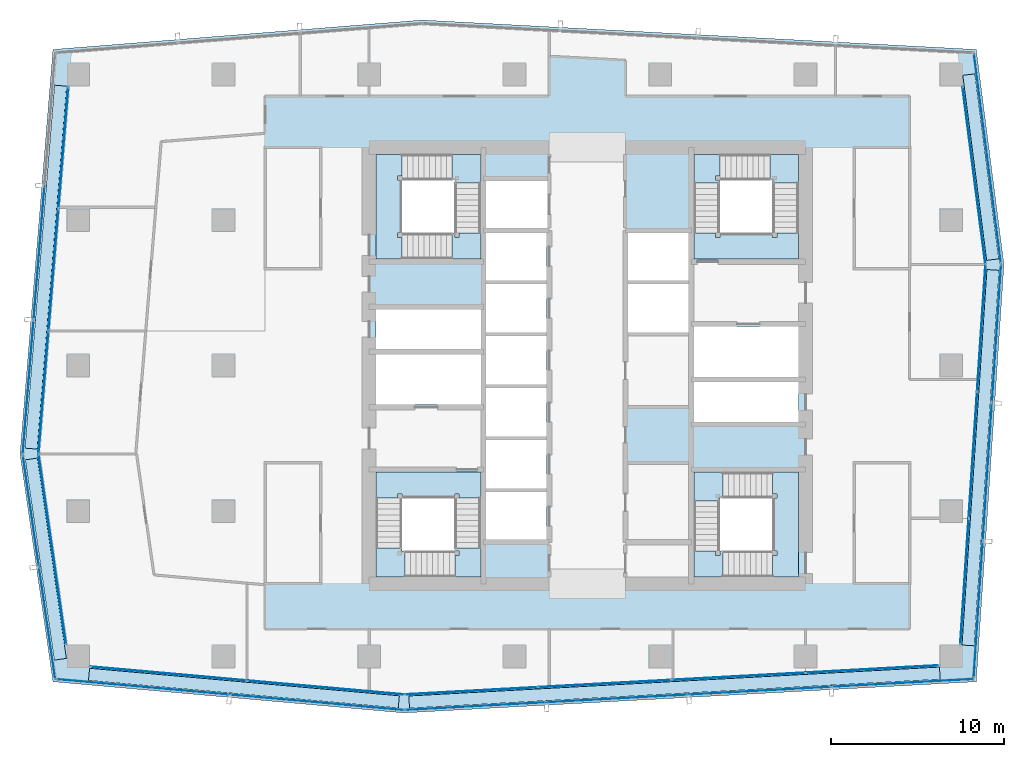
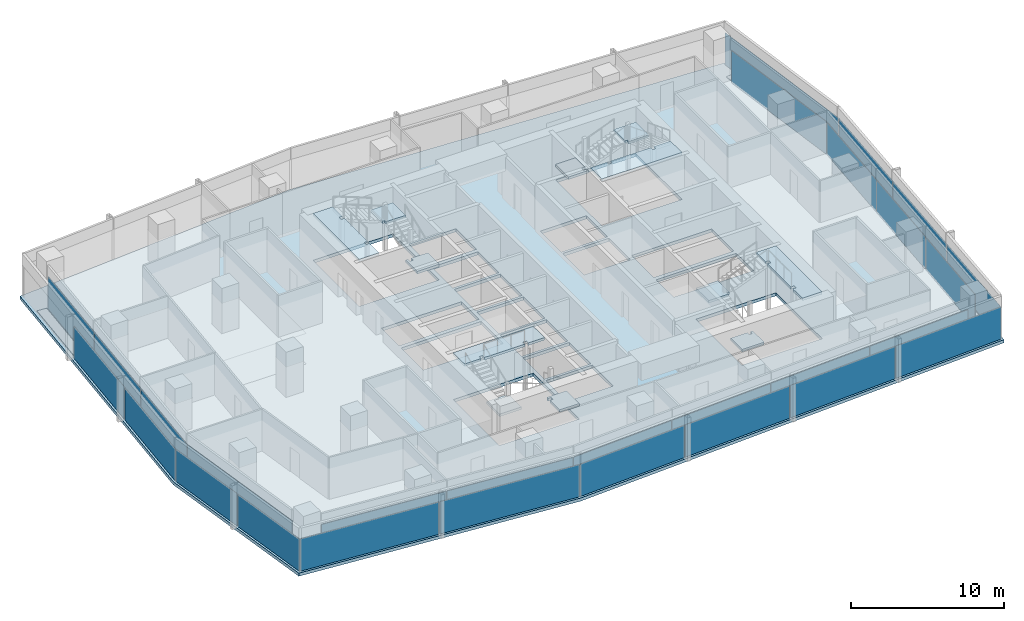
# One storey, part 21 of 29: 34 plates, 13 slabs, 16 elements without a shape of their own.
"""IFC4 building model written with IfcOpenShell, lengths in metres."""

from ifc_helpers import new_model, si_unit, direction, frame, origin, origin_2d, place, context, subcontext, project, spatial, polyline, rectangle, outline, extrude, material, layer, layer_set, type_object, element, aggregate, save


model = new_model("IFC4")

# Units and contexts
model_context = context("Model", 3, precision=1e-05, world=origin(), true_north=direction((0.0, 1.0)))
body_context = subcontext(model_context, "Body", "Model", "MODEL_VIEW")
ifc_project = project(units=[si_unit("LENGTHUNIT", "METRE"), si_unit("AREAUNIT", "SQUARE_METRE"), si_unit("VOLUMEUNIT", "CUBIC_METRE"), si_unit("PLANEANGLEUNIT", "RADIAN"), si_unit("MASSUNIT", "GRAM", prefix="KILO")], contexts=[model_context])

# Site, building, storey
site_placement = place(None, origin())
site = spatial("IfcSite", under=ifc_project, at=site_placement, CompositionType="ELEMENT")
building_placement = place(site_placement, origin())
building = spatial("IfcBuilding", under=site, at=building_placement, Name="Rekha Terrace Tower", CompositionType="ELEMENT")
storey_placement = place(building_placement, frame((0.0, 0.0, 276.35009765625)))
storey = spatial("IfcBuildingStorey", under=building, at=storey_placement, Name="L70", CompositionType="ELEMENT", Elevation=276.35009765625)

# Curtain wall, plates
ifc_material_1 = material(Name="Aluminium framing", Category="aluminium")
curtain_wall_type_1 = type_object("IfcCurtainWallType", Name="CW1 double skin inner glazing", PredefinedType="USERDEFINED", material=ifc_material_1)
curtain_wall_1_placement = place(storey_placement, origin())
curtain_wall_1 = element("IfcCurtainWall", 1, at=curtain_wall_1_placement, inside=storey, type_object=curtain_wall_type_1, Name="CW1 double skin inner glazing", ObjectType="DOUBLE SKIN INNER GLAZING", PredefinedType="USERDEFINED")
ifc_material_2 = material(Name="Double-glazed low-e unit 32", Category="glass")
ifc_layer_1 = layer(ifc_material_2, 0.031982421875)
ifc_layer_set_1 = layer_set([ifc_layer_1], Name="Double-glazed low-e unit 32")
plate_type_1 = type_object("IfcPlateType", Name="CW1 jumbo vision panel, double-glazed low-e unit 32", PredefinedType="CURTAIN_PANEL", material=ifc_layer_set_1)
plate_1_placement = place(storey_placement, frame((13.62939453125, 15.820556640625, -0.000244140625), z_axis=(0.0, 0.0, 1.0), x_axis=(0.996074182663, -0.088522441405, 0.0)))
plate_1 = element("IfcPlate", 2, at=plate_1_placement, type_object=plate_type_1, Name="CW1 panel 1.1", PredefinedType="CURTAIN_PANEL", context=body_context, shape_type="SweptSolid", body=[
    extrude(rectangle(XDim=9.010986328125, YDim=0.031982421875, at=origin_2d()), origin(), (0.0, 0.0, 1.0), 2.60009765625),
])
plate_2_placement = place(storey_placement, frame((22.701904296875, 15.01416015625, -0.000244140625), z_axis=(0.0, 0.0, 1.0), x_axis=(0.996074182663, -0.088522441405, 0.0)))
plate_2 = element("IfcPlate", 3, at=plate_2_placement, type_object=plate_type_1, Name="CW1 panel 2.1", PredefinedType="CURTAIN_PANEL", context=body_context, shape_type="SweptSolid", body=[
    extrude(rectangle(XDim=9.075927734375, YDim=0.031982421875, at=origin_2d()), origin(), (0.0, 0.0, 1.0), 2.60009765625),
])
aggregate(curtain_wall_1, [plate_1, plate_2])

curtain_wall_2_placement = place(storey_placement, origin())
curtain_wall_2 = element("IfcCurtainWall", 4, at=curtain_wall_2_placement, inside=storey, type_object=curtain_wall_type_1, Name="CW1 double skin inner glazing", ObjectType="DOUBLE SKIN INNER GLAZING", PredefinedType="USERDEFINED")
plate_3_placement = place(storey_placement, frame((31.101318359375, 14.82373046875, -0.000244140625), z_axis=(0.0, 0.0, 1.0), x_axis=(0.998519828159, 0.054388903036, 0.0)))
plate_3 = element("IfcPlate", 5, at=plate_3_placement, type_object=plate_type_1, Name="CW1 panel 1.1", PredefinedType="CURTAIN_PANEL", context=body_context, shape_type="SweptSolid", body=[
    extrude(rectangle(XDim=7.6396484375, YDim=0.031982421875, at=origin_2d()), origin(), (0.0, 0.0, 1.0), 2.60009765625),
])
plate_4_placement = place(storey_placement, frame((38.810791015625, 15.243896484375, -0.000244140625), z_axis=(0.0, 0.0, 1.0), x_axis=(0.998519828159, 0.054388903036, 0.0)))
plate_4 = element("IfcPlate", 6, at=plate_4_placement, type_object=plate_type_1, Name="CW1 panel 2.1", PredefinedType="CURTAIN_PANEL", context=body_context, shape_type="SweptSolid", body=[
    extrude(rectangle(XDim=7.672119140625, YDim=0.031982421875, at=origin_2d()), origin(), (0.0, 0.0, 1.0), 2.60009765625),
])
plate_5_placement = place(storey_placement, frame((46.536376953125, 15.66455078125, -0.000244140625), z_axis=(0.0, 0.0, 1.0), x_axis=(0.998519828159, 0.054388903036, 0.0)))
plate_5 = element("IfcPlate", 7, at=plate_5_placement, type_object=plate_type_1, Name="CW1 panel 3.1", PredefinedType="CURTAIN_PANEL", context=body_context, shape_type="SweptSolid", body=[
    extrude(rectangle(XDim=7.672119140625, YDim=0.031982421875, at=origin_2d()), origin(), (0.0, 0.0, 1.0), 2.60009765625),
])
plate_6_placement = place(storey_placement, frame((54.245849609375, 16.08447265625, -0.000244140625), z_axis=(0.0, 0.0, 1.0), x_axis=(0.998519828159, 0.054388903036, 0.0)))
plate_6 = element("IfcPlate", 8, at=plate_6_placement, type_object=plate_type_1, Name="CW1 panel 4.1", PredefinedType="CURTAIN_PANEL", context=body_context, shape_type="SweptSolid", body=[
    extrude(rectangle(XDim=7.6396484375, YDim=0.031982421875, at=origin_2d()), origin(), (0.0, 0.0, 1.0), 2.60009765625),
])
aggregate(curtain_wall_2, [plate_3, plate_4, plate_5, plate_6])

curtain_wall_3_placement = place(storey_placement, origin())
curtain_wall_3 = element("IfcCurtainWall", 9, at=curtain_wall_3_placement, inside=storey, type_object=curtain_wall_type_1, Name="CW1 double skin inner glazing", ObjectType="DOUBLE SKIN INNER GLAZING", PredefinedType="USERDEFINED")
plate_7_placement = place(storey_placement, frame((59.57275390625, 21.147705078125, -0.000244140625), z_axis=(0.0, 0.0, 1.0), x_axis=(0.066271589649, 0.997801621769, 0.0)))
plate_7 = element("IfcPlate", 10, at=plate_7_placement, type_object=plate_type_1, Name="CW1 panel 1.1", PredefinedType="CURTAIN_PANEL", context=body_context, shape_type="SweptSolid", body=[
    extrude(rectangle(XDim=7.228759765625, YDim=0.031982421875, at=origin_2d()), origin(), (0.0, 0.0, 1.0), 2.60009765625),
])
plate_8_placement = place(storey_placement, frame((60.05712890625, 28.441650390625, -0.000244140625), z_axis=(0.0, 0.0, 1.0), x_axis=(0.066271589649, 0.997801621769, 0.0)))
plate_8 = element("IfcPlate", 11, at=plate_8_placement, type_object=plate_type_1, Name="CW1 panel 2.1", PredefinedType="CURTAIN_PANEL", context=body_context, shape_type="SweptSolid", body=[
    extrude(rectangle(XDim=7.261474609375, YDim=0.031982421875, at=origin_2d()), origin(), (0.0, 0.0, 1.0), 2.60009765625),
])
plate_9_placement = place(storey_placement, frame((60.543701171875, 35.76806640625, -0.000244140625), z_axis=(0.0, 0.0, 1.0), x_axis=(0.066271589649, 0.997801621769, 0.0)))
plate_9 = element("IfcPlate", 12, at=plate_9_placement, type_object=plate_type_1, Name="CW1 panel 3.1", PredefinedType="CURTAIN_PANEL", context=body_context, shape_type="SweptSolid", body=[
    extrude(rectangle(XDim=7.2939453125, YDim=0.031982421875, at=origin_2d()), origin(), (0.0, 0.0, 1.0), 2.60009765625),
])
aggregate(curtain_wall_3, [plate_7, plate_8, plate_9])

# Curtain wall, plate
curtain_wall_4_placement = place(storey_placement, origin())
curtain_wall_4 = element("IfcCurtainWall", 13, at=curtain_wall_4_placement, inside=storey, type_object=curtain_wall_type_1, Name="CW1 double skin inner glazing", ObjectType="DOUBLE SKIN INNER GLAZING", PredefinedType="USERDEFINED")
plate_10_placement = place(storey_placement, frame((60.119873046875, 44.56884765625, -0.000244140625), z_axis=(0.0, 0.0, 1.0), x_axis=(-0.127869904766, 0.991790949472, 0.0)))
plate_10 = element("IfcPlate", 14, at=plate_10_placement, type_object=plate_type_1, Name="CW1 panel 1.1", PredefinedType="CURTAIN_PANEL", context=body_context, shape_type="SweptSolid", body=[
    extrude(rectangle(XDim=10.27880859375, YDim=0.031982421875, at=origin_2d()), origin(), (0.0, 0.0, 1.0), 2.60009765625),
])
aggregate(curtain_wall_4, [plate_10])

# Curtain wall, plates
curtain_wall_5_placement = place(storey_placement, origin())
curtain_wall_5 = element("IfcCurtainWall", 15, at=curtain_wall_5_placement, inside=storey, type_object=curtain_wall_type_1, Name="CW1 double skin inner glazing", ObjectType="DOUBLE SKIN INNER GLAZING", PredefinedType="USERDEFINED")
plate_11_placement = place(storey_placement, frame((7.5517578125, 46.173095703125, -0.000244140625), z_axis=(0.0, 0.0, 1.0), x_axis=(-0.081067906781, -0.996708580524, 0.0)))
plate_11 = element("IfcPlate", 16, at=plate_11_placement, type_object=plate_type_1, Name="CW1 panel 1.1", PredefinedType="CURTAIN_PANEL", context=body_context, shape_type="SweptSolid", body=[
    extrude(rectangle(XDim=6.9921875, YDim=0.031982421875, at=origin_2d()), origin(), (0.0, 0.0, 1.0), 2.60009765625),
])
plate_12_placement = place(storey_placement, frame((6.978271484375, 39.123046875, -0.000244140625), z_axis=(0.0, 0.0, 1.0), x_axis=(-0.081067906781, -0.996708580524, 0.0)))
plate_12 = element("IfcPlate", 17, at=plate_12_placement, type_object=plate_type_1, Name="CW1 panel 2.1", PredefinedType="CURTAIN_PANEL", context=body_context, shape_type="SweptSolid", body=[
    extrude(rectangle(XDim=7.024658203125, YDim=0.031982421875, at=origin_2d()), origin(), (0.0, 0.0, 1.0), 2.60009765625),
])
plate_13_placement = place(storey_placement, frame((6.40234375, 32.040283203125, -0.000244140625), z_axis=(0.0, 0.0, 1.0), x_axis=(-0.081067906781, -0.996708580524, 0.0)))
plate_13 = element("IfcPlate", 18, at=plate_13_placement, type_object=plate_type_1, Name="CW1 panel 3.1", PredefinedType="CURTAIN_PANEL", context=body_context, shape_type="SweptSolid", body=[
    extrude(rectangle(XDim=7.057373046875, YDim=0.031982421875, at=origin_2d()), origin(), (0.0, 0.0, 1.0), 2.60009765625),
])
aggregate(curtain_wall_5, [plate_11, plate_12, plate_13])

# Curtain wall, plate
curtain_wall_6_placement = place(storey_placement, origin())
curtain_wall_6 = element("IfcCurtainWall", 19, at=curtain_wall_6_placement, inside=storey, type_object=curtain_wall_type_1, Name="CW1 double skin inner glazing", ObjectType="DOUBLE SKIN INNER GLAZING", PredefinedType="USERDEFINED")
plate_14_placement = place(storey_placement, frame((6.915771484375, 22.994140625, -0.000244140625), z_axis=(0.0, 0.0, 1.0), x_axis=(0.143108322643, -0.989707031394, 0.0)))
plate_14 = element("IfcPlate", 20, at=plate_14_placement, type_object=plate_type_1, Name="CW1 panel 1.1", PredefinedType="CURTAIN_PANEL", context=body_context, shape_type="SweptSolid", body=[
    extrude(rectangle(XDim=11.043212890625, YDim=0.031982421875, at=origin_2d()), origin(), (0.0, 0.0, 1.0), 2.60009765625),
])
aggregate(curtain_wall_6, [plate_14])

# Curtain wall, plates
curtain_wall_type_2 = type_object("IfcCurtainWallType", Name="CW2 double skin outer glazing", PredefinedType="USERDEFINED", material=ifc_material_1)
curtain_wall_7_placement = place(storey_placement, origin())
curtain_wall_7 = element("IfcCurtainWall", 21, at=curtain_wall_7_placement, inside=storey, type_object=curtain_wall_type_2, Name="CW2 double skin outer glazing", ObjectType="DOUBLE SKIN OUTER GLAZING", PredefinedType="USERDEFINED")
ifc_material_3 = material(Name="Toughened single glazing 12", Category="glass")
ifc_layer_2 = layer(ifc_material_3, 0.011962890625)
ifc_layer_set_2 = layer_set([ifc_layer_2], Name="Toughened single glazing 12")
plate_type_2 = type_object("IfcPlateType", Name="CW2 jumbo vision panel, toughened single glazing 12", PredefinedType="CURTAIN_PANEL", material=ifc_layer_set_2)
plate_15_placement = place(storey_placement, frame((12.139404296875, 15.049560546875, -0.000244140625), z_axis=(0.0, 0.0, 1.0), x_axis=(0.996074182658, -0.088522441457, 0.0)))
plate_15 = element("IfcPlate", 22, at=plate_15_placement, type_object=plate_type_2, Name="CW2 panel 1.1", PredefinedType="CURTAIN_PANEL", context=body_context, shape_type="SweptSolid", body=[
    extrude(rectangle(XDim=9.977783203125, YDim=0.011962890625, at=origin_2d()), origin(), (0.0, 0.0, 1.0), 2.60009765625),
])
plate_16_placement = place(storey_placement, frame((22.197509765625, 14.155517578125, -0.000244140625), z_axis=(0.0, 0.0, 1.0), x_axis=(0.996074182658, -0.088522441457, 0.0)))
plate_16 = element("IfcPlate", 23, at=plate_16_placement, type_object=plate_type_2, Name="CW2 panel 2.1", PredefinedType="CURTAIN_PANEL", context=body_context, shape_type="SweptSolid", body=[
    extrude(rectangle(XDim=10.057861328125, YDim=0.011962890625, at=origin_2d()), origin(), (0.0, 0.0, 1.0), 2.60009765625),
])
aggregate(curtain_wall_7, [plate_15, plate_16])

curtain_wall_8_placement = place(storey_placement, origin())
curtain_wall_8 = element("IfcCurtainWall", 24, at=curtain_wall_8_placement, inside=storey, type_object=curtain_wall_type_2, Name="CW2 double skin outer glazing", ObjectType="DOUBLE SKIN OUTER GLAZING", PredefinedType="USERDEFINED")
plate_17_placement = place(storey_placement, frame((31.33837890625, 13.935546875, -0.000244140625), z_axis=(0.0, 0.0, 1.0), x_axis=(0.998519828157, 0.054388903071, 0.0)))
plate_17 = element("IfcPlate", 25, at=plate_17_placement, type_object=plate_type_2, Name="CW2 panel 1.1", PredefinedType="CURTAIN_PANEL", context=body_context, shape_type="SweptSolid", body=[
    extrude(rectangle(XDim=8.115478515625, YDim=0.011962890625, at=origin_2d()), origin(), (0.0, 0.0, 1.0), 2.60009765625),
])
plate_18_placement = place(storey_placement, frame((39.54150390625, 14.38232421875, -0.000244140625), z_axis=(0.0, 0.0, 1.0), x_axis=(0.998519828157, 0.054388903071, 0.0)))
plate_18 = element("IfcPlate", 26, at=plate_18_placement, type_object=plate_type_2, Name="CW2 panel 2.1", PredefinedType="CURTAIN_PANEL", context=body_context, shape_type="SweptSolid", body=[
    extrude(rectangle(XDim=8.155517578125, YDim=0.011962890625, at=origin_2d()), origin(), (0.0, 0.0, 1.0), 2.60009765625),
])
plate_19_placement = place(storey_placement, frame((47.764892578125, 14.830078125, -0.000244140625), z_axis=(0.0, 0.0, 1.0), x_axis=(0.998519828157, 0.054388903071, 0.0)))
plate_19 = element("IfcPlate", 27, at=plate_19_placement, type_object=plate_type_2, Name="CW2 panel 3.1", PredefinedType="CURTAIN_PANEL", context=body_context, shape_type="SweptSolid", body=[
    extrude(rectangle(XDim=8.155517578125, YDim=0.011962890625, at=origin_2d()), origin(), (0.0, 0.0, 1.0), 2.60009765625),
])
plate_20_placement = place(storey_placement, frame((56.008056640625, 15.279296875, -0.000244140625), z_axis=(0.0, 0.0, 1.0), x_axis=(0.998519828157, 0.054388903071, 0.0)))
plate_20 = element("IfcPlate", 28, at=plate_20_placement, type_object=plate_type_2, Name="CW2 panel 4.1", PredefinedType="CURTAIN_PANEL", context=body_context, shape_type="SweptSolid", body=[
    extrude(rectangle(XDim=8.195556640625, YDim=0.011962890625, at=origin_2d()), origin(), (0.0, 0.0, 1.0), 2.60009765625),
])
aggregate(curtain_wall_8, [plate_17, plate_18, plate_19, plate_20])

curtain_wall_9_placement = place(storey_placement, origin())
curtain_wall_9 = element("IfcCurtainWall", 29, at=curtain_wall_9_placement, inside=storey, type_object=curtain_wall_type_2, Name="CW2 double skin outer glazing", ObjectType="DOUBLE SKIN OUTER GLAZING", PredefinedType="USERDEFINED")
plate_21_placement = place(storey_placement, frame((60.365966796875, 19.5107421875, -0.000244140625), z_axis=(0.0, 0.0, 1.0), x_axis=(0.066271589649, 0.997801621769, 0.0)))
plate_21 = element("IfcPlate", 30, at=plate_21_placement, type_object=plate_type_2, Name="CW2 panel 1.1", PredefinedType="CURTAIN_PANEL", context=body_context, shape_type="SweptSolid", body=[
    extrude(rectangle(XDim=7.875244140625, YDim=0.011962890625, at=origin_2d()), origin(), (0.0, 0.0, 1.0), 2.60009765625),
])
plate_22_placement = place(storey_placement, frame((60.89453125, 27.468505859375, -0.000244140625), z_axis=(0.0, 0.0, 1.0), x_axis=(0.066271589649, 0.997801621769, 0.0)))
plate_22 = element("IfcPlate", 31, at=plate_22_placement, type_object=plate_type_2, Name="CW2 panel 2.1", PredefinedType="CURTAIN_PANEL", context=body_context, shape_type="SweptSolid", body=[
    extrude(rectangle(XDim=7.915283203125, YDim=0.011962890625, at=origin_2d()), origin(), (0.0, 0.0, 1.0), 2.60009765625),
])
plate_23_placement = place(storey_placement, frame((61.42578125, 35.466064453125, -0.000244140625), z_axis=(0.0, 0.0, 1.0), x_axis=(0.066271589649, 0.997801621769, 0.0)))
plate_23 = element("IfcPlate", 32, at=plate_23_placement, type_object=plate_type_2, Name="CW2 panel 3.1", PredefinedType="CURTAIN_PANEL", context=body_context, shape_type="SweptSolid", body=[
    extrude(rectangle(XDim=7.955322265625, YDim=0.011962890625, at=origin_2d()), origin(), (0.0, 0.0, 1.0), 2.60009765625),
])
aggregate(curtain_wall_9, [plate_21, plate_22, plate_23])

# Curtain wall, plate
curtain_wall_10_placement = place(storey_placement, origin())
curtain_wall_10 = element("IfcCurtainWall", 33, at=curtain_wall_10_placement, inside=storey, type_object=curtain_wall_type_2, Name="CW2 double skin outer glazing", ObjectType="DOUBLE SKIN OUTER GLAZING", PredefinedType="USERDEFINED")
plate_24_placement = place(storey_placement, frame((60.89892578125, 45.566162109375, -0.000244140625), z_axis=(0.0, 0.0, 1.0), x_axis=(-0.12786990487, 0.991790949459, 0.0)))
plate_24 = element("IfcPlate", 34, at=plate_24_placement, type_object=plate_type_2, Name="CW2 panel 1.1", PredefinedType="CURTAIN_PANEL", context=body_context, shape_type="SweptSolid", body=[
    extrude(rectangle(XDim=12.203857421875, YDim=0.011962890625, at=origin_2d()), origin(), (0.0, 0.0, 1.0), 2.60009765625),
])
aggregate(curtain_wall_10, [plate_24])

# Curtain wall, plates
curtain_wall_11_placement = place(storey_placement, origin())
curtain_wall_11 = element("IfcCurtainWall", 35, at=curtain_wall_11_placement, inside=storey, type_object=curtain_wall_type_2, Name="CW2 double skin outer glazing", ObjectType="DOUBLE SKIN OUTER GLAZING", PredefinedType="USERDEFINED")
plate_25_placement = place(storey_placement, frame((6.15478515625, 40.09814453125, -0.000244140625), z_axis=(0.0, 0.0, 1.0), x_axis=(-0.081067906816, -0.996708580521, 0.0)))
plate_25 = element("IfcPlate", 36, at=plate_25_placement, type_object=plate_type_2, Name="CW2 panel 2.1", PredefinedType="CURTAIN_PANEL", context=body_context, shape_type="SweptSolid", body=[
    extrude(rectangle(XDim=7.680908203125, YDim=0.011962890625, at=origin_2d()), origin(), (0.0, 0.0, 1.0), 2.60009765625),
])
plate_26_placement = place(storey_placement, frame((5.52392578125, 32.3427734375, -0.000244140625), z_axis=(0.0, 0.0, 1.0), x_axis=(-0.081067906816, -0.996708580521, 0.0)))
plate_26 = element("IfcPlate", 37, at=plate_26_placement, type_object=plate_type_2, Name="CW2 panel 3.1", PredefinedType="CURTAIN_PANEL", context=body_context, shape_type="SweptSolid", body=[
    extrude(rectangle(XDim=7.720947265625, YDim=0.011962890625, at=origin_2d()), origin(), (0.0, 0.0, 1.0), 2.60009765625),
])
aggregate(curtain_wall_11, [plate_25, plate_26])

curtain_wall_12_placement = place(storey_placement, origin())
curtain_wall_12 = element("IfcCurtainWall", 38, at=curtain_wall_12_placement, inside=storey, type_object=curtain_wall_type_2, Name="CW2 double skin outer glazing", ObjectType="DOUBLE SKIN OUTER GLAZING", PredefinedType="USERDEFINED")
plate_27_placement = place(storey_placement, frame((5.68359375, 25.22607421875, -0.000244140625), z_axis=(0.0, 0.0, 1.0), x_axis=(0.143108322678, -0.989707031389, 0.0)))
plate_27 = element("IfcPlate", 39, at=plate_27_placement, type_object=plate_type_2, Name="CW2 panel 1.1", PredefinedType="CURTAIN_PANEL", context=body_context, shape_type="SweptSolid", body=[
    extrude(rectangle(XDim=6.446044921875, YDim=0.011962890625, at=origin_2d()), origin(), (0.0, 0.0, 1.0), 2.60009765625),
])
plate_28_placement = place(storey_placement, frame((6.623291015625, 18.7275390625, -0.000244140625), z_axis=(0.0, 0.0, 1.0), x_axis=(0.143108322678, -0.989707031389, 0.0)))
plate_28 = element("IfcPlate", 40, at=plate_28_placement, type_object=plate_type_2, Name="CW2 panel 2.1", PredefinedType="CURTAIN_PANEL", context=body_context, shape_type="SweptSolid", body=[
    extrude(rectangle(XDim=6.526123046875, YDim=0.011962890625, at=origin_2d()), origin(), (0.0, 0.0, 1.0), 2.60009765625),
])
aggregate(curtain_wall_12, [plate_27, plate_28])

# Plates
ifc_material_4 = material(Name="Galvanised steel open grating", Category="steel")
ifc_layer_3 = layer(ifc_material_4, 0.050048828125)
ifc_layer_set_3 = layer_set([ifc_layer_3], Name="Galvanised steel open grating")
plate_type_3 = type_object("IfcPlateType", Name="GT1 cavity walkway grating 50", PredefinedType="USERDEFINED", material=ifc_layer_set_3)
plate_29_placement = place(storey_placement, frame((17.974853515625, 14.982666015625, 0.0), z_axis=(0.0, 0.0, 1.0), x_axis=(0.99607418266, -0.08852244144, 0.0)))
element("IfcPlate", 41, at=plate_29_placement, inside=storey, type_object=plate_type_3, Name="Cavity walkway grating", ObjectType="CAVITY WALKWAY GRATING", PredefinedType="USERDEFINED", context=body_context, shape_type="SweptSolid", body=[
    extrude(rectangle(XDim=17.9521484375, YDim=0.705078125, at=origin_2d()), origin(), (0.0, 0.0, 1.0), 0.050048828125),
])
plate_30_placement = place(storey_placement, frame((42.830322265625, 15.011962890625, 0.0), z_axis=(0.0, 0.0, 1.0), x_axis=(0.998519828157, 0.054388903071, 0.0)))
element("IfcPlate", 42, at=plate_30_placement, inside=storey, type_object=plate_type_3, Name="Cavity walkway grating", ObjectType="CAVITY WALKWAY GRATING", PredefinedType="USERDEFINED", context=body_context, shape_type="SweptSolid", body=[
    extrude(rectangle(XDim=30.677978515625, YDim=0.705078125, at=origin_2d()), origin(), (0.0, 0.0, 1.0), 0.050048828125),
])
plate_31_placement = place(storey_placement, frame((60.497802734375, 28.284912109375, 0.0), z_axis=(0.0, 0.0, 1.0), x_axis=(0.066271589649, 0.997801621769, 0.0)))
element("IfcPlate", 43, at=plate_31_placement, inside=storey, type_object=plate_type_3, Name="Cavity walkway grating", ObjectType="CAVITY WALKWAY GRATING", PredefinedType="USERDEFINED", context=body_context, shape_type="SweptSolid", body=[
    extrude(rectangle(XDim=21.72119140625, YDim=0.705078125, at=origin_2d()), origin(), (0.0, 0.0, 1.0), 0.050048828125),
])
plate_32_placement = place(storey_placement, frame((60.510498046875, 45.058837890625, 0.0), z_axis=(0.0, 0.0, 1.0), x_axis=(-0.127869904852, 0.991790949461, 0.0)))
element("IfcPlate", 44, at=plate_32_placement, inside=storey, type_object=plate_type_3, Name="Cavity walkway grating", ObjectType="CAVITY WALKWAY GRATING", PredefinedType="USERDEFINED", context=body_context, shape_type="SweptSolid", body=[
    extrude(rectangle(XDim=10.76904296875, YDim=0.705078125, at=origin_2d()), origin(), (0.0, 0.0, 1.0), 0.050048828125),
])
plate_33_placement = place(storey_placement, frame((6.5400390625, 39.28369140625, 0.0), z_axis=(0.0, 0.0, 1.0), x_axis=(-0.081067906798, -0.996708580523, 0.0)))
element("IfcPlate", 45, at=plate_33_placement, inside=storey, type_object=plate_type_3, Name="Cavity walkway grating", ObjectType="CAVITY WALKWAY GRATING", PredefinedType="USERDEFINED", context=body_context, shape_type="SweptSolid", body=[
    extrude(rectangle(XDim=21.02001953125, YDim=0.705078125, at=origin_2d()), origin(), (0.0, 0.0, 1.0), 0.050048828125),
])
plate_34_placement = place(storey_placement, frame((6.54248046875, 22.4306640625, 0.0), z_axis=(0.0, 0.0, 1.0), x_axis=(0.143108322643, -0.989707031394, 0.0)))
element("IfcPlate", 46, at=plate_34_placement, inside=storey, type_object=plate_type_3, Name="Cavity walkway grating", ObjectType="CAVITY WALKWAY GRATING", PredefinedType="USERDEFINED", context=body_context, shape_type="SweptSolid", body=[
    extrude(rectangle(XDim=11.68310546875, YDim=0.705078125, at=origin_2d()), origin(), (0.0, 0.0, 1.0), 0.050048828125),
])

# Stair, slabs
ifc_material_5 = material(Name="Concrete M40", Category="concrete")
stair_type = type_object("IfcStairType", Name="ST30 stair, 30 risers of 125, going 320, 1500 wide flights, 3 flights", PredefinedType="HALF_TURN_STAIR", material=ifc_material_5)
stair_1_placement = place(storey_placement, origin())
stair_1 = element("IfcStair", 47, at=stair_1_placement, inside=storey, type_object=stair_type, Name="Stair ST1 L70 to L71", PredefinedType="HALF_TURN_STAIR")
ifc_layer_4 = layer(ifc_material_5, 0.199951171875)
ifc_layer_set_4 = layer_set([ifc_layer_4], Name="Concrete M40")
slab_type_1 = type_object("IfcSlabType", Name="LD1 200 concrete stair landing", PredefinedType="LANDING", material=ifc_layer_set_4)
slab_1_placement = place(storey_placement, frame((0.0, 0.0, 1.0498046875)))
slab_1 = element("IfcSlab", 48, at=slab_1_placement, type_object=slab_type_1, Name="ST1 landing 1", PredefinedType="LANDING", context=body_context, shape_type="SweptSolid", body=[
    extrude(outline(polyline([(30.14990234375, 21.39990234375), (31.64990234375, 21.39990234375), (31.64990234375, 23.070068359375), (30.14990234375, 23.070068359375), (30.14990234375, 22.89990234375), (30.39990234375, 22.89990234375), (30.39990234375, 22.64990234375), (30.14990234375, 22.64990234375), (30.14990234375, 21.39990234375)])), origin(), (0.0, 0.0, 1.0), 0.2001953125),
])
slab_2_placement = place(storey_placement, frame((0.0, 0.0, 2.2998046875)))
slab_2 = element("IfcSlab", 49, at=slab_2_placement, type_object=slab_type_1, Name="ST1 landing 2", PredefinedType="LANDING", context=body_context, shape_type="SweptSolid", body=[
    extrude(outline(polyline([(27.10009765625, 23.070068359375), (25.60009765625, 23.070068359375), (25.60009765625, 21.39990234375), (27.27001953125, 21.39990234375), (27.27001953125, 22.89990234375), (27.10009765625, 22.89990234375), (27.10009765625, 23.070068359375)])), origin(), (0.0, 0.0, 1.0), 0.2001953125),
])
slab_3_placement = place(storey_placement, frame((0.0, 0.0, 3.5498046875)))
slab_3 = element("IfcSlab", 50, at=slab_3_placement, type_object=slab_type_1, Name="ST1 landing 3", PredefinedType="LANDING", context=body_context, shape_type="SweptSolid", body=[
    extrude(outline(polyline([(31.64990234375, 25.949951171875), (31.64990234375, 27.449951171875), (25.60009765625, 27.449951171875), (25.60009765625, 25.949951171875), (26.85009765625, 25.949951171875), (26.85009765625, 26.199951171875), (27.10009765625, 26.199951171875), (27.10009765625, 25.949951171875), (30.14990234375, 25.949951171875), (30.14990234375, 26.199951171875), (30.39990234375, 26.199951171875), (30.39990234375, 25.949951171875), (31.64990234375, 25.949951171875)])), origin(), (0.0, 0.0, 1.0), 0.2001953125),
])
aggregate(stair_1, [slab_1, slab_2, slab_3])

stair_2_placement = place(storey_placement, origin())
stair_2 = element("IfcStair", 51, at=stair_2_placement, inside=storey, type_object=stair_type, Name="Stair ST2 L70 to L71", PredefinedType="HALF_TURN_STAIR")
slab_4_placement = place(storey_placement, frame((0.0, 0.0, 1.0498046875)))
slab_4 = element("IfcSlab", 52, at=slab_4_placement, type_object=slab_type_1, Name="ST2 landing 1", PredefinedType="LANDING", context=body_context, shape_type="SweptSolid", body=[
    extrude(outline(polyline([(45.449951171875, 45.800048828125), (43.949951171875, 45.800048828125), (43.949951171875, 44.1298828125), (45.449951171875, 44.1298828125), (45.449951171875, 44.300048828125), (45.199951171875, 44.300048828125), (45.199951171875, 44.550048828125), (45.449951171875, 44.550048828125), (45.449951171875, 45.800048828125)])), origin(), (0.0, 0.0, 1.0), 0.2001953125),
])
slab_5_placement = place(storey_placement, frame((0.0, 0.0, 2.2998046875)))
slab_5 = element("IfcSlab", 53, at=slab_5_placement, type_object=slab_type_1, Name="ST2 landing 2", PredefinedType="LANDING", context=body_context, shape_type="SweptSolid", body=[
    extrude(outline(polyline([(48.5, 44.1298828125), (50.0, 44.1298828125), (50.0, 45.800048828125), (48.330078125, 45.800048828125), (48.330078125, 44.300048828125), (48.5, 44.300048828125), (48.5, 44.1298828125)])), origin(), (0.0, 0.0, 1.0), 0.2001953125),
])
slab_6_placement = place(storey_placement, frame((0.0, 0.0, 3.5498046875)))
slab_6 = element("IfcSlab", 54, at=slab_6_placement, type_object=slab_type_1, Name="ST2 landing 3", PredefinedType="LANDING", context=body_context, shape_type="SweptSolid", body=[
    extrude(outline(polyline([(43.949951171875, 41.25), (43.949951171875, 39.75), (50.0, 39.75), (50.0, 41.25), (48.75, 41.25), (48.75, 41.0), (48.5, 41.0), (48.5, 41.25), (45.449951171875, 41.25), (45.449951171875, 41.0), (45.199951171875, 41.0), (45.199951171875, 41.25), (43.949951171875, 41.25)])), origin(), (0.0, 0.0, 1.0), 0.2001953125),
])
aggregate(stair_2, [slab_4, slab_5, slab_6])

stair_3_placement = place(storey_placement, origin())
stair_3 = element("IfcStair", 55, at=stair_3_placement, inside=storey, type_object=stair_type, Name="Stair ST3 L70 to L71", PredefinedType="HALF_TURN_STAIR")
slab_7_placement = place(storey_placement, frame((0.0, 0.0, 1.0498046875)))
slab_7 = element("IfcSlab", 56, at=slab_7_placement, type_object=slab_type_1, Name="ST3 landing 1", PredefinedType="LANDING", context=body_context, shape_type="SweptSolid", body=[
    extrude(outline(polyline([(43.949951171875, 22.89990234375), (43.949951171875, 21.39990234375), (45.6201171875, 21.39990234375), (45.6201171875, 22.89990234375), (45.449951171875, 22.89990234375), (45.449951171875, 22.64990234375), (45.199951171875, 22.64990234375), (45.199951171875, 22.89990234375), (43.949951171875, 22.89990234375)])), origin(), (0.0, 0.0, 1.0), 0.2001953125),
])
slab_8_placement = place(storey_placement, frame((0.0, 0.0, 2.2998046875)))
slab_8 = element("IfcSlab", 57, at=slab_8_placement, type_object=slab_type_1, Name="ST3 landing 2", PredefinedType="LANDING", context=body_context, shape_type="SweptSolid", body=[
    extrude(outline(polyline([(45.6201171875, 25.949951171875), (45.6201171875, 27.449951171875), (43.949951171875, 27.449951171875), (43.949951171875, 25.780029296875), (45.449951171875, 25.780029296875), (45.449951171875, 25.949951171875), (45.6201171875, 25.949951171875)])), origin(), (0.0, 0.0, 1.0), 0.2001953125),
])
slab_9_placement = place(storey_placement, frame((0.0, 0.0, 3.5498046875)))
slab_9 = element("IfcSlab", 58, at=slab_9_placement, type_object=slab_type_1, Name="ST3 landing 3", PredefinedType="LANDING", context=body_context, shape_type="SweptSolid", body=[
    extrude(outline(polyline([(48.5, 21.39990234375), (50.0, 21.39990234375), (50.0, 27.449951171875), (48.5, 27.449951171875), (48.5, 26.199951171875), (48.75, 26.199951171875), (48.75, 25.949951171875), (48.5, 25.949951171875), (48.5, 22.89990234375), (48.75, 22.89990234375), (48.75, 22.64990234375), (48.5, 22.64990234375), (48.5, 21.39990234375)])), origin(), (0.0, 0.0, 1.0), 0.2001953125),
])
aggregate(stair_3, [slab_7, slab_8, slab_9])

stair_4_placement = place(storey_placement, origin())
stair_4 = element("IfcStair", 59, at=stair_4_placement, inside=storey, type_object=stair_type, Name="Stair ST4 L70 to L71", PredefinedType="HALF_TURN_STAIR")
slab_10_placement = place(storey_placement, frame((0.0, 0.0, 1.0498046875)))
slab_10 = element("IfcSlab", 60, at=slab_10_placement, type_object=slab_type_1, Name="ST4 landing 1", PredefinedType="LANDING", context=body_context, shape_type="SweptSolid", body=[
    extrude(outline(polyline([(31.64990234375, 41.25), (31.64990234375, 39.75), (29.97998046875, 39.75), (29.97998046875, 41.25), (30.14990234375, 41.25), (30.14990234375, 41.0), (30.39990234375, 41.0), (30.39990234375, 41.25), (31.64990234375, 41.25)])), origin(), (0.0, 0.0, 1.0), 0.2001953125),
])
slab_11_placement = place(storey_placement, frame((0.0, 0.0, 2.2998046875)))
slab_11 = element("IfcSlab", 61, at=slab_11_placement, type_object=slab_type_1, Name="ST4 landing 2", PredefinedType="LANDING", context=body_context, shape_type="SweptSolid", body=[
    extrude(outline(polyline([(29.97998046875, 44.300048828125), (29.97998046875, 45.800048828125), (31.64990234375, 45.800048828125), (31.64990234375, 44.1298828125), (30.14990234375, 44.1298828125), (30.14990234375, 44.300048828125), (29.97998046875, 44.300048828125)])), origin(), (0.0, 0.0, 1.0), 0.2001953125),
])
slab_12_placement = place(storey_placement, frame((0.0, 0.0, 3.5498046875)))
slab_12 = element("IfcSlab", 62, at=slab_12_placement, type_object=slab_type_1, Name="ST4 landing 3", PredefinedType="LANDING", context=body_context, shape_type="SweptSolid", body=[
    extrude(outline(polyline([(27.10009765625, 39.75), (25.60009765625, 39.75), (25.60009765625, 45.800048828125), (27.10009765625, 45.800048828125), (27.10009765625, 44.550048828125), (26.85009765625, 44.550048828125), (26.85009765625, 44.300048828125), (27.10009765625, 44.300048828125), (27.10009765625, 41.25), (26.85009765625, 41.25), (26.85009765625, 41.0), (27.10009765625, 41.0), (27.10009765625, 39.75)])), origin(), (0.0, 0.0, 1.0), 0.2001953125),
])
aggregate(stair_4, [slab_10, slab_11, slab_12])

# Slab
ifc_material_6 = material(Name="Concrete M50", Category="concrete")
ifc_layer_5 = layer(ifc_material_6, 0.25)
ifc_layer_set_5 = layer_set([ifc_layer_5], Name="Concrete M50")
slab_type_2 = type_object("IfcSlabType", Name="SL4 250 post-tensioned flat plate", PredefinedType="FLOOR", material=ifc_layer_set_5)
slab_13_placement = place(storey_placement, frame((0.0, 0.0, -0.25)))
element("IfcSlab", 63, at=slab_13_placement, inside=storey, type_object=slab_type_2, Name="Post-tensioned flat plate L70", PredefinedType="FLOOR", context=body_context, shape_type="SweptSolid", body=[
    extrude(outline(polyline([(5.050048828125, 28.489990234375), (6.949951171875, 15.35009765625), (27.2041015625, 13.550048828125), (60.25, 15.35009765625), (61.85009765625, 39.43994140625), (60.25, 51.85009765625), (28.27001953125, 53.550048828125), (6.949951171875, 51.85009765625), (5.050048828125, 28.489990234375)]), holes=[polyline([(31.64990234375, 27.449951171875), (31.64990234375, 21.39990234375), (25.60009765625, 21.39990234375), (25.60009765625, 27.449951171875), (31.64990234375, 27.449951171875)]), polyline([(35.449951171875, 26.300048828125), (35.449951171875, 23.550048828125), (31.949951171875, 23.550048828125), (31.949951171875, 26.300048828125), (35.449951171875, 26.300048828125)]), polyline([(35.449951171875, 29.300048828125), (35.449951171875, 26.5), (31.949951171875, 26.5), (31.949951171875, 29.300048828125), (35.449951171875, 29.300048828125)]), polyline([(35.449951171875, 32.300048828125), (35.449951171875, 29.5), (31.949951171875, 29.5), (31.949951171875, 32.300048828125), (35.449951171875, 32.300048828125)]), polyline([(31.64990234375, 34.25), (31.64990234375, 31.35009765625), (25.60009765625, 31.35009765625), (25.60009765625, 34.25), (31.64990234375, 34.25)]), polyline([(35.449951171875, 35.300048828125), (35.449951171875, 32.5), (31.949951171875, 32.5), (31.949951171875, 35.300048828125), (35.449951171875, 35.300048828125)]), polyline([(31.64990234375, 36.85009765625), (31.64990234375, 34.550048828125), (25.60009765625, 34.550048828125), (25.60009765625, 36.85009765625), (31.64990234375, 36.85009765625)]), polyline([(35.449951171875, 38.300048828125), (35.449951171875, 35.5), (31.949951171875, 35.5), (31.949951171875, 38.300048828125), (35.449951171875, 38.300048828125)]), polyline([(31.64990234375, 45.800048828125), (31.64990234375, 39.75), (25.60009765625, 39.75), (25.60009765625, 45.800048828125), (31.64990234375, 45.800048828125)]), polyline([(50.0, 27.449951171875), (50.0, 21.39990234375), (43.949951171875, 21.39990234375), (43.949951171875, 27.449951171875), (50.0, 27.449951171875)]), polyline([(50.0, 32.64990234375), (50.0, 30.35009765625), (43.949951171875, 30.35009765625), (43.949951171875, 32.64990234375), (50.0, 32.64990234375)]), polyline([(50.0, 35.85009765625), (50.0, 32.949951171875), (43.949951171875, 32.949951171875), (43.949951171875, 35.85009765625), (50.0, 35.85009765625)]), polyline([(43.64990234375, 38.300048828125), (43.64990234375, 35.5), (40.14990234375, 35.5), (40.14990234375, 38.300048828125), (43.64990234375, 38.300048828125)]), polyline([(35.449951171875, 41.25), (35.449951171875, 38.5), (31.949951171875, 38.5), (31.949951171875, 41.25), (35.449951171875, 41.25)]), polyline([(43.64990234375, 41.25), (43.64990234375, 38.5), (40.14990234375, 38.5), (40.14990234375, 41.25), (43.64990234375, 41.25)]), polyline([(50.0, 39.75), (43.949951171875, 39.75), (43.949951171875, 45.800048828125), (50.0, 45.800048828125), (50.0, 39.75)]), polyline([(35.5, 41.550048828125), (31.949951171875, 41.550048828125), (31.949951171875, 44.25), (35.5, 44.25), (35.5, 41.550048828125)])]), origin(), (0.0, 0.0, 1.0), 0.25),
])

save(model, "model.ifc")
